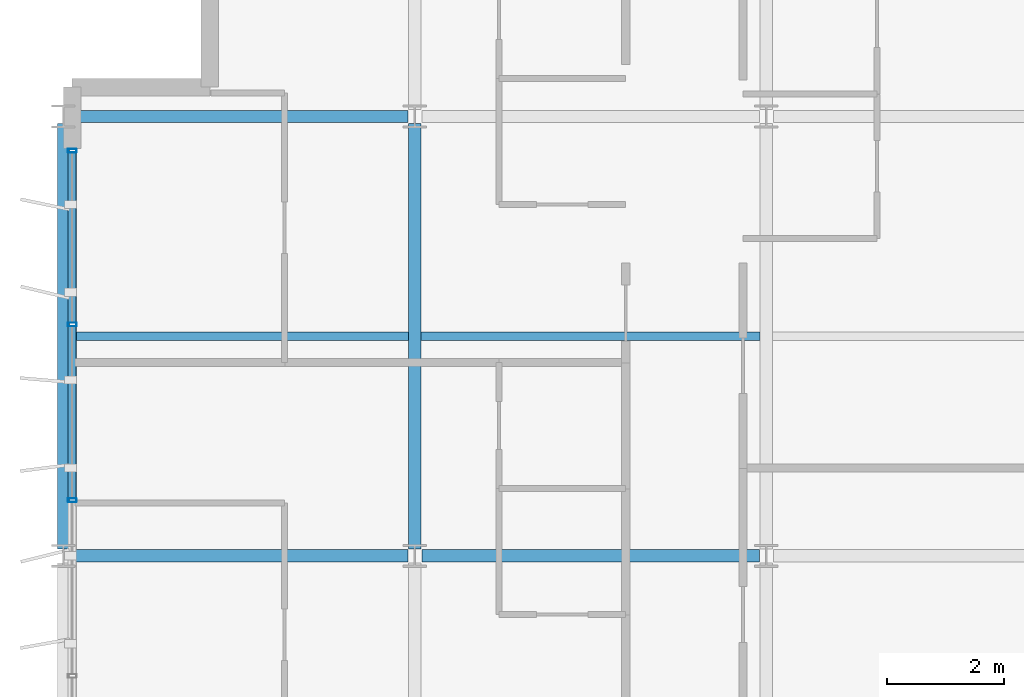
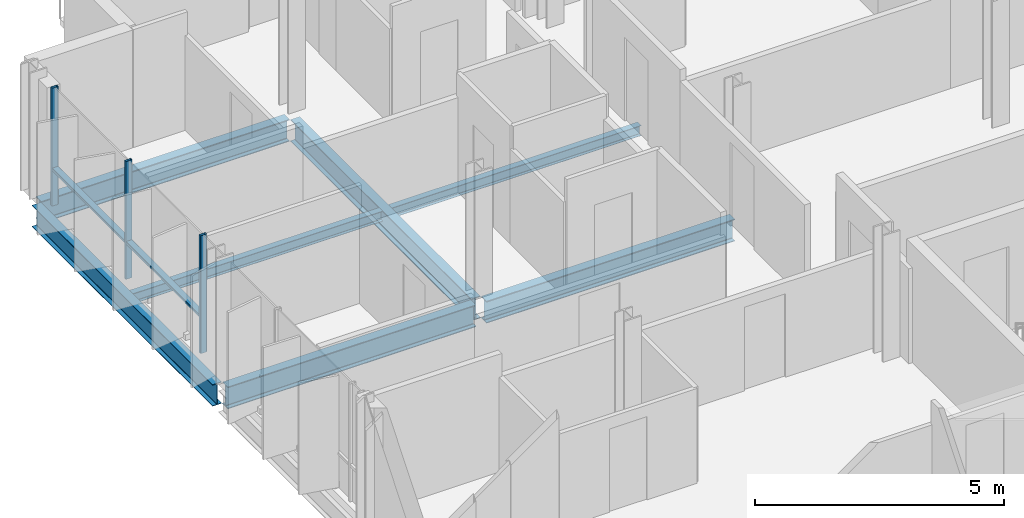
# One storey, part 5 of 29: 7 beams, 5 members, 1 element without a shape of its own.
"""IFC4 building model written with IfcOpenShell, lengths in metres."""

import ifcopenshell
import ifcopenshell.guid

model = None  # the IFC model being written
_history = None  # IfcOwnerHistory: only IFC2X3 demands one
_inside = {}  # id of a spatial element -> (the spatial element, [elements in it])
_under = {}  # id of a project, library or spatial element -> (it, [spatial elements below it])
_declared = {}  # id of a project -> (the project, [libraries it declares])
_typed = {}  # id of a type object -> (the type object, [elements of that type])
_made_of = {}  # id of a material, layer set ... -> (it, [elements and type objects made of it])


def new_model(schema):
    """Start an empty IFC model of exactly this schema.

    Asked for "IFC4X3", IfcOpenShell would pick the latest addendum, in which some entities
    have other attributes; the version numbers below select the first issue.
    IFC2X3 requires an IfcOwnerHistory on every rooted entity: one is made here for all.
    """
    global model, _history
    if schema == "IFC4X3":
        model = ifcopenshell.file(schema_version=(4, 3, 0, 0))
    else:
        model = ifcopenshell.file(schema=schema)
    _inside.clear()
    _under.clear()
    _declared.clear()
    _typed.clear()
    _made_of.clear()
    _history = None
    if model.schema == "IFC2X3":
        org = make("IfcOrganization", Name="unknown")
        user = make(
            "IfcPersonAndOrganization",
            ThePerson=make("IfcPerson", FamilyName="unknown"),
            TheOrganization=org,
        )
        app = make(
            "IfcApplication",
            ApplicationDeveloper=org,
            Version="unknown",
            ApplicationFullName="unknown",
            ApplicationIdentifier="unknown",
        )
        _history = make(
            "IfcOwnerHistory",
            OwningUser=user,
            OwningApplication=app,
            ChangeAction="ADDED",
            CreationDate=0,
        )
    return model


def make(cls, **values):
    """One entity of the class cls with the attributes given. An attribute that is None is left unset."""
    return model.create_entity(
        cls, **{name: value for name, value in values.items() if value is not None}
    )


def rooted(cls, **values):
    """An entity with a GlobalId (a new one), such as an element, a storey or a relation."""
    return make(cls, GlobalId=ifcopenshell.guid.new(), OwnerHistory=_history, **values)


def si_unit(unit_type, name, prefix=None):
    """IfcSIUnit, for example si_unit("LENGTHUNIT", "METRE", prefix="MILLI")."""
    return make("IfcSIUnit", UnitType=unit_type, Prefix=prefix, Name=name)


def assignment(units):
    """IfcUnitAssignment: the units of a project."""
    return None if units is None else make("IfcUnitAssignment", Units=units)


def point(xyz):
    """IfcCartesianPoint."""
    return None if xyz is None else make("IfcCartesianPoint", Coordinates=xyz)


def direction(xyz):
    """IfcDirection."""
    return None if xyz is None else make("IfcDirection", DirectionRatios=xyz)


def frame(location, z_axis=None, x_axis=None):
    """IfcAxis2Placement3D, a coordinate frame: its origin and axes. An axis left out is left unset."""
    return make(
        "IfcAxis2Placement3D",
        Location=point(location),
        Axis=direction(z_axis),
        RefDirection=direction(x_axis),
    )


def frame_2d(location, x_axis=None):
    """IfcAxis2Placement2D, a coordinate frame in the plane: its origin and x axis."""
    return make(
        "IfcAxis2Placement2D", Location=point(location), RefDirection=direction(x_axis)
    )


def origin():
    """The frame at (0, 0, 0) with its axes left unset."""
    return frame((0.0, 0.0, 0.0))


def origin_2d():
    """The frame at (0, 0) in the plane with its x axis left unset."""
    return frame_2d((0.0, 0.0))


def place(relative_to, where):
    """IfcLocalPlacement: puts the frame where relative to a parent placement (None: the world)."""
    return make(
        "IfcLocalPlacement", PlacementRelTo=relative_to, RelativePlacement=where
    )


def context(
    kind, dimensions, precision=None, world=None, true_north=None, identifier=None
):
    """IfcGeometricRepresentationContext, for example the 3D "Model" context."""
    return make(
        "IfcGeometricRepresentationContext",
        ContextIdentifier=identifier,
        ContextType=kind,
        CoordinateSpaceDimension=dimensions,
        Precision=precision,
        WorldCoordinateSystem=world,
        TrueNorth=true_north,
    )


def subcontext(parent, identifier, kind, view, scale=None):
    """IfcGeometricRepresentationSubContext, for example "Body" below "Model"."""
    return make(
        "IfcGeometricRepresentationSubContext",
        ContextIdentifier=identifier,
        ContextType=kind,
        ParentContext=parent,
        TargetScale=scale,
        TargetView=view,
    )


def project(units=None, contexts=None):
    """IfcProject with its units and contexts."""
    return rooted(
        "IfcProject",
        Name="project",
        RepresentationContexts=contexts,
        UnitsInContext=assignment(units),
    )


def spatial(cls, under=None, at=None, **own):
    """A site, building, storey or space (cls), placed at a placement, below another one or the project."""
    s = rooted(cls, ObjectPlacement=at, **own)
    if under is not None:
        _under.setdefault(under.id(), (under, []))[1].append(s)
    return s


def profile(cls, at=None, kind="AREA", **sizes):
    """A parametric profile (cls). Its sizes go by their IFC names, for example OverallWidth=200.0."""
    return make(cls, ProfileType=kind, Position=at, **sizes)


def hollow_rectangle(**sizes):
    """IfcRectangleHollowProfileDef."""
    return profile("IfcRectangleHollowProfileDef", **sizes)


def i_section(**sizes):
    """IfcIShapeProfileDef."""
    return profile("IfcIShapeProfileDef", **sizes)


def extrude(swept, where, along, depth):
    """IfcExtrudedAreaSolid: the profile swept, set in the frame where, extruded along a direction by depth."""
    return make(
        "IfcExtrudedAreaSolid",
        SweptArea=swept,
        Position=where,
        ExtrudedDirection=direction(along),
        Depth=depth,
    )


def shape(context_of_items, identifier, shape_type, items):
    """IfcShapeRepresentation: the items that make up one representation, for example the "Body"."""
    return make(
        "IfcShapeRepresentation",
        ContextOfItems=context_of_items,
        RepresentationIdentifier=identifier,
        RepresentationType=shape_type,
        Items=items,
    )


def material(Name=None, Category=None):
    """IfcMaterial."""
    return make("IfcMaterial", Name=Name, Category=Category)


def layer(
    of_material, thickness, ventilated=None, Name=None, Category=None, Priority=None
):
    """IfcMaterialLayer: one layer of a wall or slab, of a material (None: an air gap)."""
    return make(
        "IfcMaterialLayer",
        Material=of_material,
        LayerThickness=thickness,
        IsVentilated=ventilated,
        Name=Name,
        Category=Category,
        Priority=Priority,
    )


def layer_set(layers, Name=None):
    """IfcMaterialLayerSet."""
    return make("IfcMaterialLayerSet", MaterialLayers=layers, LayerSetName=Name)


def material_profile(
    of_material, cross_section, Name=None, Category=None, Priority=None
):
    """IfcMaterialProfile: a cross section and its material."""
    return make(
        "IfcMaterialProfile",
        Name=Name,
        Material=of_material,
        Profile=cross_section,
        Priority=Priority,
        Category=Category,
    )


def profile_set(profiles, Name=None, composite=None):
    """IfcMaterialProfileSet."""
    return make(
        "IfcMaterialProfileSet",
        Name=Name,
        MaterialProfiles=profiles,
        CompositeProfile=composite,
    )


def made_of(thing, what):
    """Note that an element or type object is made of a material, layer set ...; save() writes the relation."""
    if what is not None:
        _made_of.setdefault(what.id(), (what, []))[1].append(thing)
    return thing


def type_object(cls, material=None, **own):
    """A type object (cls), such as IfcWallType, which elements share."""
    return made_of(rooted(cls, **own), material)


def element(
    cls,
    number,
    at=None,
    inside=None,
    cuts=None,
    type_object=None,
    material=None,
    context=None,
    identifier="Body",
    shape_type=None,
    held_by="IfcProductDefinitionShape",
    body=None,
    shapes=None,
    **own,
):
    """One element of the class cls, such as IfcWall. Its Tag is "e" and its number.

    at: its placement. inside: the storey or other place that contains it. cuts: it is an
    opening in that element (IfcRelVoidsElement). A single representation is given by context,
    identifier, shape_type and body (its items); several are given by shapes. held_by: the class
    of the entity that holds the representations. save() writes the other relations.
    """
    e = rooted(cls, Tag="e%d" % number, ObjectPlacement=at, **own)
    if body is not None:
        shapes = [shape(context, identifier, shape_type, body)]
    if shapes is not None:
        e.Representation = make(held_by, Representations=shapes)
    if inside is not None:
        _inside.setdefault(inside.id(), (inside, []))[1].append(e)
    if cuts is not None:
        rooted(
            "IfcRelVoidsElement", RelatingBuildingElement=cuts, RelatedOpeningElement=e
        )
    if type_object is not None:
        _typed.setdefault(type_object.id(), (type_object, []))[1].append(e)
    return made_of(e, material)


def aggregate(whole, parts):
    """IfcRelAggregates: a whole, such as a stair, and the parts it consists of."""
    return rooted("IfcRelAggregates", RelatingObject=whole, RelatedObjects=parts)


def save(model, path):
    """Write the relations noted so far, then the file.

    IfcRelAggregates (storeys below a building ...), IfcRelContainedInSpatialStructure (elements
    in a storey), IfcRelDefinesByType, IfcRelAssociatesMaterial and IfcRelDeclares: one each for
    every whole, place, type object, material and project.
    """
    for whole, parts in _under.values():
        aggregate(whole, parts)
    for where, things in _inside.values():
        rooted(
            "IfcRelContainedInSpatialStructure",
            RelatedElements=things,
            RelatingStructure=where,
        )
    for kind, things in _typed.values():
        rooted("IfcRelDefinesByType", RelatedObjects=things, RelatingType=kind)
    for what, things in _made_of.values():
        rooted("IfcRelAssociatesMaterial", RelatedObjects=things, RelatingMaterial=what)
    for by, libraries in _declared.values():
        rooted("IfcRelDeclares", RelatingContext=by, RelatedDefinitions=libraries)
    model.write(path)


model = new_model("IFC4")

# Units and contexts
model_context = context("Model", 3, precision=1e-05, world=origin(), true_north=direction((0.0, 1.0)))
body_context = subcontext(model_context, "Body", "Model", "MODEL_VIEW")
ifc_project = project(units=[si_unit("LENGTHUNIT", "METRE"), si_unit("AREAUNIT", "SQUARE_METRE"), si_unit("VOLUMEUNIT", "CUBIC_METRE"), si_unit("PLANEANGLEUNIT", "RADIAN"), si_unit("MASSUNIT", "GRAM", prefix="KILO")], contexts=[model_context])

# Site, building, storey
site_placement = place(None, origin())
site = spatial("IfcSite", under=ifc_project, at=site_placement, CompositionType="ELEMENT")
building_placement = place(site_placement, origin())
building = spatial("IfcBuilding", under=site, at=building_placement, Name="Brevholm Reach", CompositionType="ELEMENT")
storey_placement = place(building_placement, frame((0.0, 0.0, 198.699951171875)))
storey = spatial("IfcBuildingStorey", under=building, at=storey_placement, Name="L60", CompositionType="ELEMENT", Elevation=198.699951171875)

# Beams
ifc_material_1 = material(Name="Structural Steel S355J2", Category="steel")
ifc_material_profile_1 = material_profile(ifc_material_1, i_section(OverallWidth=0.14599609375, OverallDepth=0.25146484375, WebThickness=0.006103515625, FlangeThickness=0.008544921875, FilletRadius=0.007568359375, at=origin_2d()), Name="UKB 254x146x31")
ifc_profile_set_1 = profile_set([ifc_material_profile_1], Name="Structural Steel S355J2")
beam_type_1 = type_object("IfcBeamType", Name="BM-B254", PredefinedType="BEAM", material=ifc_profile_set_1)
beam_1_placement = place(storey_placement, frame((0.104736328125, 19.75, -0.335693359375), z_axis=(1.0, 0.0, 0.0), x_axis=(0.0, 1.0, 0.0)))
element("IfcBeam", 1, at=beam_1_placement, inside=storey, type_object=beam_type_1, Name="L60 Composite Secondary Floor Beam", PredefinedType="BEAM", context=body_context, shape_type="SweptSolid", body=[
    extrude(i_section(OverallWidth=0.14599609375, OverallDepth=0.25146484375, WebThickness=0.006103515625, FlangeThickness=0.008544921875, FilletRadius=0.007568359375, at=origin_2d()), origin(), (0.0, 0.0, 1.0), 5.789794921875),
])
beam_2_placement = place(storey_placement, frame((6.10546875, 19.75, -0.335693359375), z_axis=(1.0, 0.0, 0.0), x_axis=(0.0, 1.0, 0.0)))
element("IfcBeam", 2, at=beam_2_placement, inside=storey, type_object=beam_type_1, Name="L60 Composite Secondary Floor Beam", PredefinedType="BEAM", context=body_context, shape_type="SweptSolid", body=[
    extrude(i_section(OverallWidth=0.14599609375, OverallDepth=0.25146484375, WebThickness=0.006103515625, FlangeThickness=0.008544921875, FilletRadius=0.007568359375, at=origin_2d()), origin(), (0.0, 0.0, 1.0), 5.7890625),
])
ifc_material_2 = material(Name="Structural Steel S355J2", Category="steel")
ifc_material_profile_2 = material_profile(ifc_material_2, i_section(OverallWidth=0.209228515625, OverallDepth=0.533203125, WebThickness=0.010009765625, FlangeThickness=0.015625, FilletRadius=0.0126953125, at=origin_2d()), Name="UKB 533x210x92")
ifc_profile_set_2 = profile_set([ifc_material_profile_2], Name="Structural Steel S355J2")
beam_type_2 = type_object("IfcBeamType", Name="BM-SP533", PredefinedType="SPANDREL", material=ifc_profile_set_2)
beam_3_placement = place(storey_placement, frame((0.0, 16.1201171875, -0.4765625), z_axis=(0.0, 1.0, 0.0), x_axis=(-1.0, 0.0, 0.0)))
element("IfcBeam", 3, at=beam_3_placement, inside=storey, type_object=beam_type_2, Name="L60 SP-02 Framing Beam", PredefinedType="SPANDREL", context=body_context, shape_type="SweptSolid", body=[
    extrude(i_section(OverallWidth=0.209228515625, OverallDepth=0.533203125, WebThickness=0.010009765625, FlangeThickness=0.015625, FilletRadius=0.0126953125, at=origin_2d()), origin(), (0.0, 0.0, 1.0), 7.259765625),
])
ifc_material_3 = material(Name="Structural Steel S355J2", Category="steel")
ifc_material_profile_3 = material_profile(ifc_material_3, i_section(OverallWidth=0.210693359375, OverallDepth=0.53955078125, WebThickness=0.01171875, FlangeThickness=0.018798828125, FilletRadius=0.0126953125, at=origin_2d()), Name="UKB 533x210x109")
ifc_profile_set_3 = profile_set([ifc_material_profile_3], Name="Structural Steel S355J2")
beam_type_3 = type_object("IfcBeamType", Name="BM-SP539", PredefinedType="SPANDREL", material=ifc_profile_set_3)
for number, where, z_axis, x_axis, name in (
    (4, (0.1201171875, 16.0, -0.479736328125), (1.0, 0.0, 0.0), (0.0, 1.0, 0.0), "L60 SP-01B Framing Beam"),
    (5, (6.1201171875, 16.0, -0.479736328125), (1.0, 0.0, 0.0), (0.0, 1.0, 0.0), "L60 SP-01B Framing Beam"),
    (6, (0.1201171875, 23.5, -0.479736328125), (1.0, 0.0, 0.0), (0.0, 1.0, 0.0), "L60 SP-01B Framing Beam"),
):
    element("IfcBeam", number, at=place(storey_placement, frame(where, z_axis=z_axis, x_axis=x_axis)), inside=storey, type_object=beam_type_3, Name=name, PredefinedType="SPANDREL", context=body_context, shape_type="SweptSolid", body=[
        extrude(i_section(OverallWidth=0.210693359375, OverallDepth=0.53955078125, WebThickness=0.01171875, FlangeThickness=0.018798828125, FilletRadius=0.0126953125, at=origin_2d()), origin(), (0.0, 0.0, 1.0), 5.759765625),
    ])
beam_4_placement = place(storey_placement, frame((6.0, 16.1201171875, -0.479736328125), z_axis=(0.0, 1.0, 0.0), x_axis=(-1.0, 0.0, 0.0)))
element("IfcBeam", 7, at=beam_4_placement, inside=storey, type_object=beam_type_3, Name="L60 SP-01B Framing Beam", PredefinedType="SPANDREL", context=body_context, shape_type="SweptSolid", body=[
    extrude(i_section(OverallWidth=0.210693359375, OverallDepth=0.53955078125, WebThickness=0.01171875, FlangeThickness=0.018798828125, FilletRadius=0.0126953125, at=origin_2d()), origin(), (0.0, 0.0, 1.0), 7.259765625),
])

# Curtain wall, members
ifc_material_4 = material(Name="Dark Anodised Aluminium 6063-T6 and Solar-Control Glass", Category="aluminium")
ifc_layer = layer(ifc_material_4, 0.14990234375)
ifc_layer_set = layer_set([ifc_layer], Name="Dark Anodised Aluminium 6063-T6 and Solar-Control Glass")
curtain_wall_type = type_object("IfcCurtainWallType", Name="CW-01", PredefinedType="NOTDEFINED", material=ifc_layer_set)
curtain_wall_placement = place(storey_placement, origin())
curtain_wall = element("IfcCurtainWall", 8, at=curtain_wall_placement, inside=storey, type_object=curtain_wall_type, Name="L60 Curtain Wall CW-01", PredefinedType="NOTDEFINED")
ifc_material_5 = material(Name="Dark Anodised Aluminium 6063-T6", Category="aluminium")
ifc_material_profile_4 = material_profile(ifc_material_5, hollow_rectangle(XDim=0.06494140625, YDim=0.14990234375, WallThickness=0.0048828125, InnerFilletRadius=0.0048828125, OuterFilletRadius=0.010009765625, at=origin_2d()), Name="RHS 150x65x5")
ifc_profile_set_4 = profile_set([ifc_material_profile_4], Name="Dark Anodised Aluminium 6063-T6")
member_type_1 = type_object("IfcMemberType", Name="CWM-150", PredefinedType="MULLION", material=ifc_profile_set_4)
member_1_placement = place(storey_placement, frame((0.14990234375, 22.91748046875, 0.0), z_axis=(0.0, 0.0, 1.0), x_axis=(0.0, -1.0, 0.0)))
member_1 = element("IfcMember", 9, at=member_1_placement, type_object=member_type_1, Name="CM-150 Mullion 1", PredefinedType="MULLION", context=body_context, shape_type="SweptSolid", body=[
    extrude(hollow_rectangle(XDim=0.06494140625, YDim=0.14990234375, WallThickness=0.0048828125, InnerFilletRadius=0.0048828125, OuterFilletRadius=0.010009765625, at=origin_2d()), origin(), (0.0, 0.0, 1.0), 2.89013671875),
])
member_2_placement = place(storey_placement, frame((0.14990234375, 19.949951171875, 0.0), z_axis=(0.0, 0.0, 1.0), x_axis=(0.0, -1.0, 0.0)))
member_2 = element("IfcMember", 10, at=member_2_placement, type_object=member_type_1, Name="CM-150 Mullion 2", PredefinedType="MULLION", context=body_context, shape_type="SweptSolid", body=[
    extrude(hollow_rectangle(XDim=0.06494140625, YDim=0.14990234375, WallThickness=0.0048828125, InnerFilletRadius=0.0048828125, OuterFilletRadius=0.010009765625, at=origin_2d()), origin(), (0.0, 0.0, 1.0), 2.89013671875),
])
member_3_placement = place(storey_placement, frame((0.14990234375, 16.949951171875, 0.0), z_axis=(0.0, 0.0, 1.0), x_axis=(0.0, -1.0, 0.0)))
member_3 = element("IfcMember", 11, at=member_3_placement, type_object=member_type_1, Name="CM-150 Mullion 3", PredefinedType="MULLION", context=body_context, shape_type="SweptSolid", body=[
    extrude(hollow_rectangle(XDim=0.06494140625, YDim=0.14990234375, WallThickness=0.0048828125, InnerFilletRadius=0.0048828125, OuterFilletRadius=0.010009765625, at=origin_2d()), origin(), (0.0, 0.0, 1.0), 2.89013671875),
])
ifc_material_6 = material(Name="Dark Anodised Aluminium 6063-T6", Category="aluminium")
ifc_material_profile_5 = material_profile(ifc_material_6, hollow_rectangle(XDim=0.06494140625, YDim=0.14990234375, WallThickness=0.0048828125, InnerFilletRadius=0.0048828125, OuterFilletRadius=0.010009765625, at=origin_2d()), Name="RHS 150x65x5")
ifc_profile_set_5 = profile_set([ifc_material_profile_5], Name="Dark Anodised Aluminium 6063-T6")
member_type_2 = type_object("IfcMemberType", Name="CWT-150", PredefinedType="NOTDEFINED", material=ifc_profile_set_5)
member_4_placement = place(storey_placement, frame((0.14990234375, 22.885009765625, 0.900146484375), z_axis=(0.0, -1.0, 0.0), x_axis=(0.0, 0.0, 1.0)))
member_4 = element("IfcMember", 12, at=member_4_placement, type_object=member_type_2, Name="CT-150 Transom 1.1", ObjectType="TRANSOM", PredefinedType="USERDEFINED", context=body_context, shape_type="SweptSolid", body=[
    extrude(hollow_rectangle(XDim=0.06494140625, YDim=0.14990234375, WallThickness=0.0048828125, InnerFilletRadius=0.0048828125, OuterFilletRadius=0.010009765625, at=origin_2d()), origin(), (0.0, 0.0, 1.0), 2.902587890625),
])
member_5_placement = place(storey_placement, frame((0.14990234375, 19.91748046875, 0.900146484375), z_axis=(0.0, -1.0, 0.0), x_axis=(0.0, 0.0, 1.0)))
member_5 = element("IfcMember", 13, at=member_5_placement, type_object=member_type_2, Name="CT-150 Transom 2.1", ObjectType="TRANSOM", PredefinedType="USERDEFINED", context=body_context, shape_type="SweptSolid", body=[
    extrude(hollow_rectangle(XDim=0.06494140625, YDim=0.14990234375, WallThickness=0.0048828125, InnerFilletRadius=0.0048828125, OuterFilletRadius=0.010009765625, at=origin_2d()), origin(), (0.0, 0.0, 1.0), 2.93505859375),
])
aggregate(curtain_wall, [member_1, member_2, member_3, member_4, member_5])

save(model, "model.ifc")
